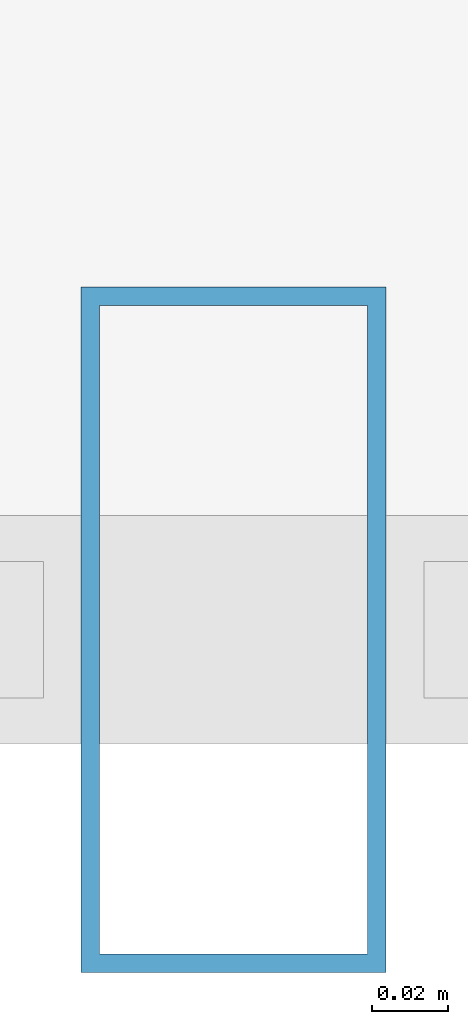
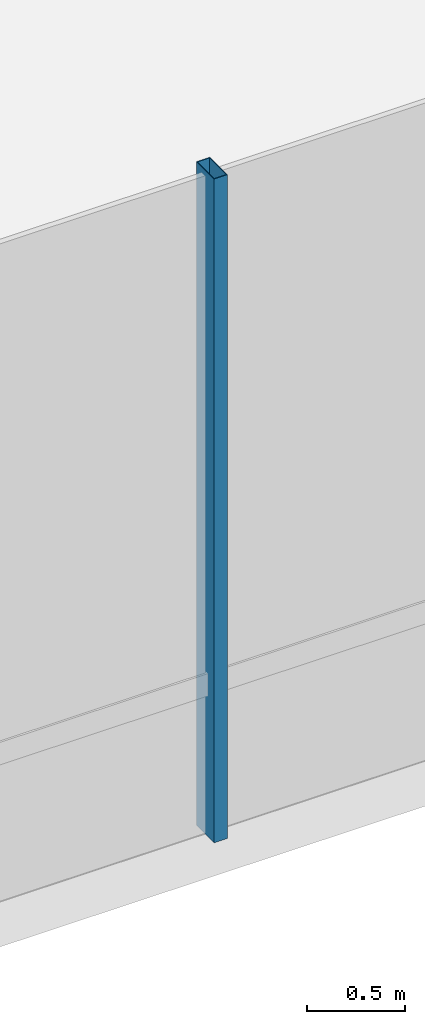
# One storey, part 11 of 37: 1 member, 1 element without a shape of its own.
"""IFC4 building model written with IfcOpenShell, lengths in metres."""

import ifcopenshell
import ifcopenshell.guid

model = None  # the IFC model being written
_history = None  # IfcOwnerHistory: only IFC2X3 demands one
_inside = {}  # id of a spatial element -> (the spatial element, [elements in it])
_under = {}  # id of a project, library or spatial element -> (it, [spatial elements below it])
_declared = {}  # id of a project -> (the project, [libraries it declares])
_typed = {}  # id of a type object -> (the type object, [elements of that type])
_made_of = {}  # id of a material, layer set ... -> (it, [elements and type objects made of it])


def new_model(schema):
    """Start an empty IFC model of exactly this schema.

    Asked for "IFC4X3", IfcOpenShell would pick the latest addendum, in which some entities
    have other attributes; the version numbers below select the first issue.
    IFC2X3 requires an IfcOwnerHistory on every rooted entity: one is made here for all.
    """
    global model, _history
    if schema == "IFC4X3":
        model = ifcopenshell.file(schema_version=(4, 3, 0, 0))
    else:
        model = ifcopenshell.file(schema=schema)
    _inside.clear()
    _under.clear()
    _declared.clear()
    _typed.clear()
    _made_of.clear()
    _history = None
    if model.schema == "IFC2X3":
        org = make("IfcOrganization", Name="unknown")
        user = make(
            "IfcPersonAndOrganization",
            ThePerson=make("IfcPerson", FamilyName="unknown"),
            TheOrganization=org,
        )
        app = make(
            "IfcApplication",
            ApplicationDeveloper=org,
            Version="unknown",
            ApplicationFullName="unknown",
            ApplicationIdentifier="unknown",
        )
        _history = make(
            "IfcOwnerHistory",
            OwningUser=user,
            OwningApplication=app,
            ChangeAction="ADDED",
            CreationDate=0,
        )
    return model


def make(cls, **values):
    """One entity of the class cls with the attributes given. An attribute that is None is left unset."""
    return model.create_entity(
        cls, **{name: value for name, value in values.items() if value is not None}
    )


def rooted(cls, **values):
    """An entity with a GlobalId (a new one), such as an element, a storey or a relation."""
    return make(cls, GlobalId=ifcopenshell.guid.new(), OwnerHistory=_history, **values)


def si_unit(unit_type, name, prefix=None):
    """IfcSIUnit, for example si_unit("LENGTHUNIT", "METRE", prefix="MILLI")."""
    return make("IfcSIUnit", UnitType=unit_type, Prefix=prefix, Name=name)


def assignment(units):
    """IfcUnitAssignment: the units of a project."""
    return None if units is None else make("IfcUnitAssignment", Units=units)


def point(xyz):
    """IfcCartesianPoint."""
    return None if xyz is None else make("IfcCartesianPoint", Coordinates=xyz)


def direction(xyz):
    """IfcDirection."""
    return None if xyz is None else make("IfcDirection", DirectionRatios=xyz)


def frame(location, z_axis=None, x_axis=None):
    """IfcAxis2Placement3D, a coordinate frame: its origin and axes. An axis left out is left unset."""
    return make(
        "IfcAxis2Placement3D",
        Location=point(location),
        Axis=direction(z_axis),
        RefDirection=direction(x_axis),
    )


def frame_2d(location, x_axis=None):
    """IfcAxis2Placement2D, a coordinate frame in the plane: its origin and x axis."""
    return make(
        "IfcAxis2Placement2D", Location=point(location), RefDirection=direction(x_axis)
    )


def origin():
    """The frame at (0, 0, 0) with its axes left unset."""
    return frame((0.0, 0.0, 0.0))


def origin_2d():
    """The frame at (0, 0) in the plane with its x axis left unset."""
    return frame_2d((0.0, 0.0))


def place(relative_to, where):
    """IfcLocalPlacement: puts the frame where relative to a parent placement (None: the world)."""
    return make(
        "IfcLocalPlacement", PlacementRelTo=relative_to, RelativePlacement=where
    )


def context(
    kind, dimensions, precision=None, world=None, true_north=None, identifier=None
):
    """IfcGeometricRepresentationContext, for example the 3D "Model" context."""
    return make(
        "IfcGeometricRepresentationContext",
        ContextIdentifier=identifier,
        ContextType=kind,
        CoordinateSpaceDimension=dimensions,
        Precision=precision,
        WorldCoordinateSystem=world,
        TrueNorth=true_north,
    )


def subcontext(parent, identifier, kind, view, scale=None):
    """IfcGeometricRepresentationSubContext, for example "Body" below "Model"."""
    return make(
        "IfcGeometricRepresentationSubContext",
        ContextIdentifier=identifier,
        ContextType=kind,
        ParentContext=parent,
        TargetScale=scale,
        TargetView=view,
    )


def project(units=None, contexts=None):
    """IfcProject with its units and contexts."""
    return rooted(
        "IfcProject",
        Name="project",
        RepresentationContexts=contexts,
        UnitsInContext=assignment(units),
    )


def spatial(cls, under=None, at=None, **own):
    """A site, building, storey or space (cls), placed at a placement, below another one or the project."""
    s = rooted(cls, ObjectPlacement=at, **own)
    if under is not None:
        _under.setdefault(under.id(), (under, []))[1].append(s)
    return s


def profile(cls, at=None, kind="AREA", **sizes):
    """A parametric profile (cls). Its sizes go by their IFC names, for example OverallWidth=200.0."""
    return make(cls, ProfileType=kind, Position=at, **sizes)


def hollow_rectangle(**sizes):
    """IfcRectangleHollowProfileDef."""
    return profile("IfcRectangleHollowProfileDef", **sizes)


def extrude(swept, where, along, depth):
    """IfcExtrudedAreaSolid: the profile swept, set in the frame where, extruded along a direction by depth."""
    return make(
        "IfcExtrudedAreaSolid",
        SweptArea=swept,
        Position=where,
        ExtrudedDirection=direction(along),
        Depth=depth,
    )


def shape(context_of_items, identifier, shape_type, items):
    """IfcShapeRepresentation: the items that make up one representation, for example the "Body"."""
    return make(
        "IfcShapeRepresentation",
        ContextOfItems=context_of_items,
        RepresentationIdentifier=identifier,
        RepresentationType=shape_type,
        Items=items,
    )


def material(Name=None, Category=None):
    """IfcMaterial."""
    return make("IfcMaterial", Name=Name, Category=Category)


def layer(
    of_material, thickness, ventilated=None, Name=None, Category=None, Priority=None
):
    """IfcMaterialLayer: one layer of a wall or slab, of a material (None: an air gap)."""
    return make(
        "IfcMaterialLayer",
        Material=of_material,
        LayerThickness=thickness,
        IsVentilated=ventilated,
        Name=Name,
        Category=Category,
        Priority=Priority,
    )


def layer_set(layers, Name=None):
    """IfcMaterialLayerSet."""
    return make("IfcMaterialLayerSet", MaterialLayers=layers, LayerSetName=Name)


def material_profile(
    of_material, cross_section, Name=None, Category=None, Priority=None
):
    """IfcMaterialProfile: a cross section and its material."""
    return make(
        "IfcMaterialProfile",
        Name=Name,
        Material=of_material,
        Profile=cross_section,
        Priority=Priority,
        Category=Category,
    )


def profile_set(profiles, Name=None, composite=None):
    """IfcMaterialProfileSet."""
    return make(
        "IfcMaterialProfileSet",
        Name=Name,
        MaterialProfiles=profiles,
        CompositeProfile=composite,
    )


def made_of(thing, what):
    """Note that an element or type object is made of a material, layer set ...; save() writes the relation."""
    if what is not None:
        _made_of.setdefault(what.id(), (what, []))[1].append(thing)
    return thing


def type_object(cls, material=None, **own):
    """A type object (cls), such as IfcWallType, which elements share."""
    return made_of(rooted(cls, **own), material)


def element(
    cls,
    number,
    at=None,
    inside=None,
    cuts=None,
    type_object=None,
    material=None,
    context=None,
    identifier="Body",
    shape_type=None,
    held_by="IfcProductDefinitionShape",
    body=None,
    shapes=None,
    **own,
):
    """One element of the class cls, such as IfcWall. Its Tag is "e" and its number.

    at: its placement. inside: the storey or other place that contains it. cuts: it is an
    opening in that element (IfcRelVoidsElement). A single representation is given by context,
    identifier, shape_type and body (its items); several are given by shapes. held_by: the class
    of the entity that holds the representations. save() writes the other relations.
    """
    e = rooted(cls, Tag="e%d" % number, ObjectPlacement=at, **own)
    if body is not None:
        shapes = [shape(context, identifier, shape_type, body)]
    if shapes is not None:
        e.Representation = make(held_by, Representations=shapes)
    if inside is not None:
        _inside.setdefault(inside.id(), (inside, []))[1].append(e)
    if cuts is not None:
        rooted(
            "IfcRelVoidsElement", RelatingBuildingElement=cuts, RelatedOpeningElement=e
        )
    if type_object is not None:
        _typed.setdefault(type_object.id(), (type_object, []))[1].append(e)
    return made_of(e, material)


def aggregate(whole, parts):
    """IfcRelAggregates: a whole, such as a stair, and the parts it consists of."""
    return rooted("IfcRelAggregates", RelatingObject=whole, RelatedObjects=parts)


def save(model, path):
    """Write the relations noted so far, then the file.

    IfcRelAggregates (storeys below a building ...), IfcRelContainedInSpatialStructure (elements
    in a storey), IfcRelDefinesByType, IfcRelAssociatesMaterial and IfcRelDeclares: one each for
    every whole, place, type object, material and project.
    """
    for whole, parts in _under.values():
        aggregate(whole, parts)
    for where, things in _inside.values():
        rooted(
            "IfcRelContainedInSpatialStructure",
            RelatedElements=things,
            RelatingStructure=where,
        )
    for kind, things in _typed.values():
        rooted("IfcRelDefinesByType", RelatedObjects=things, RelatingType=kind)
    for what, things in _made_of.values():
        rooted("IfcRelAssociatesMaterial", RelatedObjects=things, RelatingMaterial=what)
    for by, libraries in _declared.values():
        rooted("IfcRelDeclares", RelatingContext=by, RelatedDefinitions=libraries)
    model.write(path)


model = new_model("IFC4")

# Units and contexts
model_context = context("Model", 3, precision=1e-05, world=origin(), true_north=direction((0.0, 1.0)))
body_context = subcontext(model_context, "Body", "Model", "MODEL_VIEW")
ifc_project = project(units=[si_unit("LENGTHUNIT", "METRE"), si_unit("AREAUNIT", "SQUARE_METRE"), si_unit("VOLUMEUNIT", "CUBIC_METRE"), si_unit("PLANEANGLEUNIT", "RADIAN"), si_unit("MASSUNIT", "GRAM", prefix="KILO")], contexts=[model_context])

# Site, building, storey
site_placement = place(None, origin())
site = spatial("IfcSite", under=ifc_project, at=site_placement, CompositionType="ELEMENT")
building_placement = place(site_placement, origin())
building = spatial("IfcBuilding", under=site, at=building_placement, Name="Zarrinselat Tower", CompositionType="ELEMENT")
storey_placement = place(building_placement, frame((0.0, 0.0, 13.93994140625)))
storey = spatial("IfcBuildingStorey", under=building, at=storey_placement, Name="L03", CompositionType="ELEMENT", Elevation=13.93994140625)

# Curtain wall, member
ifc_material_1 = material(Name="Extruded Aluminium Alloy EN AW-6063 T6", Category="aluminium")
ifc_layer = layer(ifc_material_1, 0.2099609375)
ifc_layer_set = layer_set([ifc_layer], Name="Extruded Aluminium Alloy EN AW-6063 T6")
curtain_wall_type = type_object("IfcCurtainWallType", Name="CWS-POD", PredefinedType="NOTDEFINED", material=ifc_layer_set)
curtain_wall_placement = place(storey_placement, origin())
curtain_wall = element("IfcCurtainWall", 1, at=curtain_wall_placement, inside=storey, type_object=curtain_wall_type, Name="L03 Unitised Curtain Wall CW-L03-F1", PredefinedType="NOTDEFINED")
ifc_material_2 = material(Name="Extruded Aluminium Alloy EN AW-6063 T6", Category="aluminium")
ifc_material_profile = material_profile(ifc_material_2, hollow_rectangle(XDim=0.080078125, YDim=0.179931640625, WallThickness=0.0048828125, at=origin_2d()), Name="RHS 180x80x5")
ifc_profile_set = profile_set([ifc_material_profile], Name="Extruded Aluminium Alloy EN AW-6063 T6")
member_type = type_object("IfcMemberType", Name="MEM-CW-MUL", PredefinedType="MULLION", material=ifc_profile_set)
member_placement = place(storey_placement, frame((36.564697265625, 5.60009765625, 0.0), z_axis=(0.0, 0.0, 1.0), x_axis=(1.0, 0.0, 0.0)))
member = element("IfcMember", 2, at=member_placement, type_object=member_type, Name="CW-L03-F1 Mullion 8", PredefinedType="MULLION", context=body_context, shape_type="SweptSolid", body=[
    extrude(hollow_rectangle(XDim=0.080078125, YDim=0.179931640625, WallThickness=0.0048828125, at=origin_2d()), origin(), (0.0, 0.0, 1.0), 4.14013671875),
])
aggregate(curtain_wall, [member])

save(model, "model.ifc")
